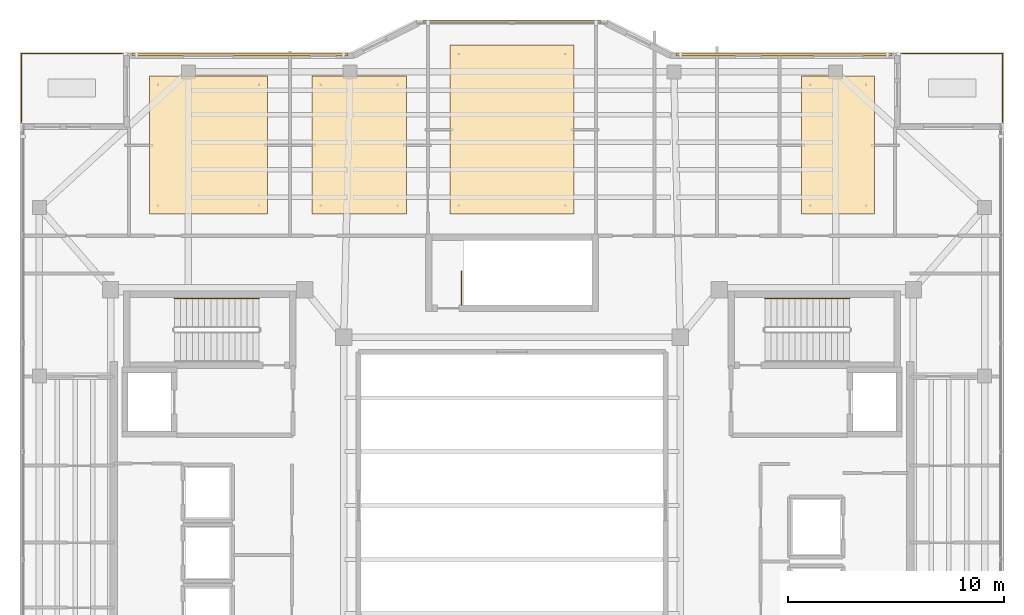
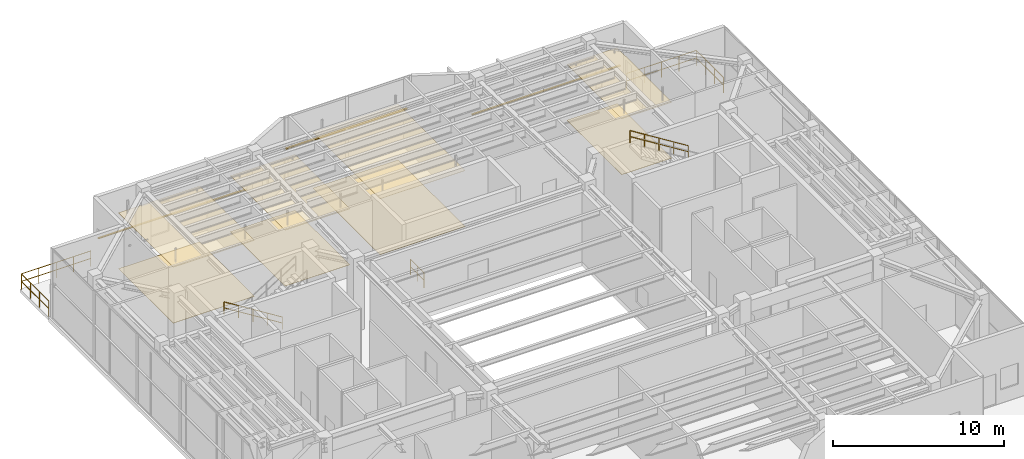
# One storey, part 23 of 23: 8 coverings, 7 railings, 3 shading devices.
"""IFC4 building model written with IfcOpenShell, lengths in metres."""

import ifcopenshell
import ifcopenshell.guid

model = None  # the IFC model being written
_history = None  # IfcOwnerHistory: only IFC2X3 demands one
_inside = {}  # id of a spatial element -> (the spatial element, [elements in it])
_under = {}  # id of a project, library or spatial element -> (it, [spatial elements below it])
_declared = {}  # id of a project -> (the project, [libraries it declares])
_typed = {}  # id of a type object -> (the type object, [elements of that type])
_made_of = {}  # id of a material, layer set ... -> (it, [elements and type objects made of it])


def new_model(schema):
    """Start an empty IFC model of exactly this schema.

    Asked for "IFC4X3", IfcOpenShell would pick the latest addendum, in which some entities
    have other attributes; the version numbers below select the first issue.
    IFC2X3 requires an IfcOwnerHistory on every rooted entity: one is made here for all.
    """
    global model, _history
    if schema == "IFC4X3":
        model = ifcopenshell.file(schema_version=(4, 3, 0, 0))
    else:
        model = ifcopenshell.file(schema=schema)
    _inside.clear()
    _under.clear()
    _declared.clear()
    _typed.clear()
    _made_of.clear()
    _history = None
    if model.schema == "IFC2X3":
        org = make("IfcOrganization", Name="unknown")
        user = make(
            "IfcPersonAndOrganization",
            ThePerson=make("IfcPerson", FamilyName="unknown"),
            TheOrganization=org,
        )
        app = make(
            "IfcApplication",
            ApplicationDeveloper=org,
            Version="unknown",
            ApplicationFullName="unknown",
            ApplicationIdentifier="unknown",
        )
        _history = make(
            "IfcOwnerHistory",
            OwningUser=user,
            OwningApplication=app,
            ChangeAction="ADDED",
            CreationDate=0,
        )
    return model


def make(cls, **values):
    """One entity of the class cls with the attributes given. An attribute that is None is left unset."""
    return model.create_entity(
        cls, **{name: value for name, value in values.items() if value is not None}
    )


def rooted(cls, **values):
    """An entity with a GlobalId (a new one), such as an element, a storey or a relation."""
    return make(cls, GlobalId=ifcopenshell.guid.new(), OwnerHistory=_history, **values)


def si_unit(unit_type, name, prefix=None):
    """IfcSIUnit, for example si_unit("LENGTHUNIT", "METRE", prefix="MILLI")."""
    return make("IfcSIUnit", UnitType=unit_type, Prefix=prefix, Name=name)


def assignment(units):
    """IfcUnitAssignment: the units of a project."""
    return None if units is None else make("IfcUnitAssignment", Units=units)


def point(xyz):
    """IfcCartesianPoint."""
    return None if xyz is None else make("IfcCartesianPoint", Coordinates=xyz)


def direction(xyz):
    """IfcDirection."""
    return None if xyz is None else make("IfcDirection", DirectionRatios=xyz)


def frame(location, z_axis=None, x_axis=None):
    """IfcAxis2Placement3D, a coordinate frame: its origin and axes. An axis left out is left unset."""
    return make(
        "IfcAxis2Placement3D",
        Location=point(location),
        Axis=direction(z_axis),
        RefDirection=direction(x_axis),
    )


def frame_2d(location, x_axis=None):
    """IfcAxis2Placement2D, a coordinate frame in the plane: its origin and x axis."""
    return make(
        "IfcAxis2Placement2D", Location=point(location), RefDirection=direction(x_axis)
    )


def origin():
    """The frame at (0, 0, 0) with its axes left unset."""
    return frame((0.0, 0.0, 0.0))


def origin_2d():
    """The frame at (0, 0) in the plane with its x axis left unset."""
    return frame_2d((0.0, 0.0))


def place(relative_to, where):
    """IfcLocalPlacement: puts the frame where relative to a parent placement (None: the world)."""
    return make(
        "IfcLocalPlacement", PlacementRelTo=relative_to, RelativePlacement=where
    )


def context(
    kind, dimensions, precision=None, world=None, true_north=None, identifier=None
):
    """IfcGeometricRepresentationContext, for example the 3D "Model" context."""
    return make(
        "IfcGeometricRepresentationContext",
        ContextIdentifier=identifier,
        ContextType=kind,
        CoordinateSpaceDimension=dimensions,
        Precision=precision,
        WorldCoordinateSystem=world,
        TrueNorth=true_north,
    )


def subcontext(parent, identifier, kind, view, scale=None):
    """IfcGeometricRepresentationSubContext, for example "Body" below "Model"."""
    return make(
        "IfcGeometricRepresentationSubContext",
        ContextIdentifier=identifier,
        ContextType=kind,
        ParentContext=parent,
        TargetScale=scale,
        TargetView=view,
    )


def project(units=None, contexts=None):
    """IfcProject with its units and contexts."""
    return rooted(
        "IfcProject",
        Name="project",
        RepresentationContexts=contexts,
        UnitsInContext=assignment(units),
    )


def spatial(cls, under=None, at=None, **own):
    """A site, building, storey or space (cls), placed at a placement, below another one or the project."""
    s = rooted(cls, ObjectPlacement=at, **own)
    if under is not None:
        _under.setdefault(under.id(), (under, []))[1].append(s)
    return s


def polyline(points):
    """IfcPolyline through the points."""
    return make("IfcPolyline", Points=[point(p) for p in points])


def profile(cls, at=None, kind="AREA", **sizes):
    """A parametric profile (cls). Its sizes go by their IFC names, for example OverallWidth=200.0."""
    return make(cls, ProfileType=kind, Position=at, **sizes)


def rectangle(**sizes):
    """IfcRectangleProfileDef."""
    return profile("IfcRectangleProfileDef", **sizes)


def circle(**sizes):
    """IfcCircleProfileDef."""
    return profile("IfcCircleProfileDef", **sizes)


def outline(outer, holes=None, kind="AREA"):
    """IfcArbitraryClosedProfileDef: a profile drawn as a closed curve; with holes, ...WithVoids."""
    if holes is None:
        return make("IfcArbitraryClosedProfileDef", ProfileType=kind, OuterCurve=outer)
    return make(
        "IfcArbitraryProfileDefWithVoids",
        ProfileType=kind,
        OuterCurve=outer,
        InnerCurves=holes,
    )


def extrude(swept, where, along, depth):
    """IfcExtrudedAreaSolid: the profile swept, set in the frame where, extruded along a direction by depth."""
    return make(
        "IfcExtrudedAreaSolid",
        SweptArea=swept,
        Position=where,
        ExtrudedDirection=direction(along),
        Depth=depth,
    )


def shape(context_of_items, identifier, shape_type, items):
    """IfcShapeRepresentation: the items that make up one representation, for example the "Body"."""
    return make(
        "IfcShapeRepresentation",
        ContextOfItems=context_of_items,
        RepresentationIdentifier=identifier,
        RepresentationType=shape_type,
        Items=items,
    )


def material(Name=None, Category=None):
    """IfcMaterial."""
    return make("IfcMaterial", Name=Name, Category=Category)


def layer(
    of_material, thickness, ventilated=None, Name=None, Category=None, Priority=None
):
    """IfcMaterialLayer: one layer of a wall or slab, of a material (None: an air gap)."""
    return make(
        "IfcMaterialLayer",
        Material=of_material,
        LayerThickness=thickness,
        IsVentilated=ventilated,
        Name=Name,
        Category=Category,
        Priority=Priority,
    )


def layer_set(layers, Name=None):
    """IfcMaterialLayerSet."""
    return make("IfcMaterialLayerSet", MaterialLayers=layers, LayerSetName=Name)


def material_profile(
    of_material, cross_section, Name=None, Category=None, Priority=None
):
    """IfcMaterialProfile: a cross section and its material."""
    return make(
        "IfcMaterialProfile",
        Name=Name,
        Material=of_material,
        Profile=cross_section,
        Priority=Priority,
        Category=Category,
    )


def profile_set(profiles, Name=None, composite=None):
    """IfcMaterialProfileSet."""
    return make(
        "IfcMaterialProfileSet",
        Name=Name,
        MaterialProfiles=profiles,
        CompositeProfile=composite,
    )


def made_of(thing, what):
    """Note that an element or type object is made of a material, layer set ...; save() writes the relation."""
    if what is not None:
        _made_of.setdefault(what.id(), (what, []))[1].append(thing)
    return thing


def type_object(cls, material=None, **own):
    """A type object (cls), such as IfcWallType, which elements share."""
    return made_of(rooted(cls, **own), material)


def element(
    cls,
    number,
    at=None,
    inside=None,
    cuts=None,
    type_object=None,
    material=None,
    context=None,
    identifier="Body",
    shape_type=None,
    held_by="IfcProductDefinitionShape",
    body=None,
    shapes=None,
    **own,
):
    """One element of the class cls, such as IfcWall. Its Tag is "e" and its number.

    at: its placement. inside: the storey or other place that contains it. cuts: it is an
    opening in that element (IfcRelVoidsElement). A single representation is given by context,
    identifier, shape_type and body (its items); several are given by shapes. held_by: the class
    of the entity that holds the representations. save() writes the other relations.
    """
    e = rooted(cls, Tag="e%d" % number, ObjectPlacement=at, **own)
    if body is not None:
        shapes = [shape(context, identifier, shape_type, body)]
    if shapes is not None:
        e.Representation = make(held_by, Representations=shapes)
    if inside is not None:
        _inside.setdefault(inside.id(), (inside, []))[1].append(e)
    if cuts is not None:
        rooted(
            "IfcRelVoidsElement", RelatingBuildingElement=cuts, RelatedOpeningElement=e
        )
    if type_object is not None:
        _typed.setdefault(type_object.id(), (type_object, []))[1].append(e)
    return made_of(e, material)


def aggregate(whole, parts):
    """IfcRelAggregates: a whole, such as a stair, and the parts it consists of."""
    return rooted("IfcRelAggregates", RelatingObject=whole, RelatedObjects=parts)


def save(model, path):
    """Write the relations noted so far, then the file.

    IfcRelAggregates (storeys below a building ...), IfcRelContainedInSpatialStructure (elements
    in a storey), IfcRelDefinesByType, IfcRelAssociatesMaterial and IfcRelDeclares: one each for
    every whole, place, type object, material and project.
    """
    for whole, parts in _under.values():
        aggregate(whole, parts)
    for where, things in _inside.values():
        rooted(
            "IfcRelContainedInSpatialStructure",
            RelatedElements=things,
            RelatingStructure=where,
        )
    for kind, things in _typed.values():
        rooted("IfcRelDefinesByType", RelatedObjects=things, RelatingType=kind)
    for what, things in _made_of.values():
        rooted("IfcRelAssociatesMaterial", RelatedObjects=things, RelatingMaterial=what)
    for by, libraries in _declared.values():
        rooted("IfcRelDeclares", RelatingContext=by, RelatedDefinitions=libraries)
    model.write(path)


model = new_model("IFC4")

# Units and contexts
model_context = context("Model", 3, precision=1e-05, world=origin(), true_north=direction((0.0, 1.0)))
body_context = subcontext(model_context, "Body", "Model", "MODEL_VIEW")
ifc_project = project(units=[si_unit("LENGTHUNIT", "METRE"), si_unit("AREAUNIT", "SQUARE_METRE"), si_unit("VOLUMEUNIT", "CUBIC_METRE"), si_unit("PLANEANGLEUNIT", "RADIAN"), si_unit("MASSUNIT", "GRAM", prefix="KILO")], contexts=[model_context])

# Site, building, storey
site_placement = place(None, origin())
site = spatial("IfcSite", under=ifc_project, at=site_placement, CompositionType="ELEMENT")
building_placement = place(site_placement, origin())
building = spatial("IfcBuilding", under=site, at=building_placement, Name="Tarnavaz Court Tower", CompositionType="ELEMENT")
storey_placement = place(building_placement, frame((0.0, 0.0, 276.300048828125)))
storey = spatial("IfcBuildingStorey", under=building, at=storey_placement, Name="L75", CompositionType="ELEMENT", Elevation=276.300048828125)

# Coverings
ifc_material_1 = material(Name="Perforated Gypsum Acoustic Ceiling Tile", Category="masonry")
ifc_layer_1 = layer(ifc_material_1, 0.02490234375)
ifc_layer_set_1 = layer_set([ifc_layer_1], Name="Perforated Gypsum Acoustic Ceiling Tile")
covering_type_1 = type_object("IfcCoveringType", Name="CV-CEIL-AC", PredefinedType="CEILING", material=ifc_layer_set_1)
covering_1_placement = place(storey_placement, frame((0.0, 0.0, 3.97998046875)))
element("IfcCovering", 1, at=covering_1_placement, inside=storey, type_object=covering_type_1, Name="L75 Public Observation Viewing Deck Suspended Acoustic Ceiling", PredefinedType="CEILING", context=body_context, shape_type="SweptSolid", body=[
    extrude(outline(polyline([(-16.800048828125, 13.5), (-11.327880859375, 13.5), (-11.327880859375, 19.89990234375), (-16.800048828125, 19.89990234375), (-16.800048828125, 13.5)])), origin(), (0.0, 0.0, 1.0), 0.02490234375),
])
covering_2_placement = place(storey_placement, frame((0.0, 0.0, 3.97998046875)))
element("IfcCovering", 2, at=covering_2_placement, inside=storey, type_object=covering_type_1, Name="L75 Skyline Heritage Art Gallery Suspended Acoustic Ceiling", PredefinedType="CEILING", context=body_context, shape_type="SweptSolid", body=[
    extrude(outline(polyline([(-9.26806640625, 13.5), (-4.89990234375, 13.5), (-4.89990234375, 19.89990234375), (-9.26806640625, 19.89990234375), (-9.26806640625, 13.5)])), origin(), (0.0, 0.0, 1.0), 0.02490234375),
])
covering_3_placement = place(storey_placement, frame((0.0, 0.0, 3.97998046875)))
element("IfcCovering", 3, at=covering_3_placement, inside=storey, type_object=covering_type_1, Name="L75 L75 North Iwan Sky Lookout Salon Suspended Acoustic Ceiling", PredefinedType="CEILING", context=body_context, shape_type="SweptSolid", body=[
    extrude(outline(polyline([(-2.8701171875, 13.5), (2.8701171875, 13.5), (2.8701171875, 21.330078125), (-2.8701171875, 21.330078125), (-2.8701171875, 13.5)])), origin(), (0.0, 0.0, 1.0), 0.02490234375),
])
covering_4_placement = place(storey_placement, frame((0.0, 0.0, 3.97998046875)))
element("IfcCovering", 4, at=covering_4_placement, inside=storey, type_object=covering_type_1, Name="L75 Panoramic Exhibition Lecture Room Suspended Acoustic Ceiling", PredefinedType="CEILING", context=body_context, shape_type="SweptSolid", body=[
    extrude(outline(polyline([(13.4169921875, 13.5), (16.800048828125, 13.5), (16.800048828125, 19.89990234375), (13.4169921875, 19.89990234375), (13.4169921875, 13.5)])), origin(), (0.0, 0.0, 1.0), 0.02490234375),
])
ifc_material_2 = material(Name="Glazed Khorasan Porcelain Floor Tile", Category="masonry")
ifc_layer_2 = layer(ifc_material_2, 0.02001953125)
ifc_layer_set_2 = layer_set([ifc_layer_2], Name="Glazed Khorasan Porcelain Floor Tile")
covering_type_2 = type_object("IfcCoveringType", Name="CV-FLR-PORC", PredefinedType="FLOORING", material=ifc_layer_set_2)
covering_5_placement = place(storey_placement, origin())
element("IfcCovering", 5, at=covering_5_placement, inside=storey, type_object=covering_type_2, Name="L75 Public Observation Viewing Deck Porcelain Floor Finish", PredefinedType="FLOORING", context=body_context, shape_type="SweptSolid", body=[
    extrude(outline(polyline([(-16.800048828125, 13.5), (-11.327880859375, 13.5), (-11.327880859375, 19.89990234375), (-16.800048828125, 19.89990234375), (-16.800048828125, 13.5)])), origin(), (0.0, 0.0, 1.0), 0.02001953125),
])
covering_6_placement = place(storey_placement, origin())
element("IfcCovering", 6, at=covering_6_placement, inside=storey, type_object=covering_type_2, Name="L75 Skyline Heritage Art Gallery Porcelain Floor Finish", PredefinedType="FLOORING", context=body_context, shape_type="SweptSolid", body=[
    extrude(outline(polyline([(-9.26806640625, 13.5), (-4.89990234375, 13.5), (-4.89990234375, 19.89990234375), (-9.26806640625, 19.89990234375), (-9.26806640625, 13.5)])), origin(), (0.0, 0.0, 1.0), 0.02001953125),
])
covering_7_placement = place(storey_placement, origin())
element("IfcCovering", 7, at=covering_7_placement, inside=storey, type_object=covering_type_2, Name="L75 L75 North Iwan Sky Lookout Salon Porcelain Floor Finish", PredefinedType="FLOORING", context=body_context, shape_type="SweptSolid", body=[
    extrude(outline(polyline([(-2.8701171875, 13.5), (2.8701171875, 13.5), (2.8701171875, 21.330078125), (-2.8701171875, 21.330078125), (-2.8701171875, 13.5)])), origin(), (0.0, 0.0, 1.0), 0.02001953125),
])
covering_8_placement = place(storey_placement, origin())
element("IfcCovering", 8, at=covering_8_placement, inside=storey, type_object=covering_type_2, Name="L75 Panoramic Exhibition Lecture Room Porcelain Floor Finish", PredefinedType="FLOORING", context=body_context, shape_type="SweptSolid", body=[
    extrude(outline(polyline([(13.4169921875, 13.5), (16.800048828125, 13.5), (16.800048828125, 19.89990234375), (13.4169921875, 19.89990234375), (13.4169921875, 13.5)])), origin(), (0.0, 0.0, 1.0), 0.02001953125),
])

# Railings
ifc_material_3 = material(Name="Anodised Aluminium 6063-T6 and Laminated Safety Glass", Category="aluminium")
railing_type_1 = type_object("IfcRailingType", Name="RL-BAL-1120", PredefinedType="BALUSTRADE", material=ifc_material_3)
railing_1_placement = place(storey_placement, frame((22.739990234375, 17.760009765625, 0.0)))
element("IfcRailing", 9, at=railing_1_placement, inside=storey, type_object=railing_type_1, Name="L75 Terrace 1 E Perimeter Balustrade", PredefinedType="BALUSTRADE", context=body_context, shape_type="SweptSolid", body=[
    extrude(circle(Radius=0.02392578125, at=origin_2d()), frame((0.0, 0.0, 1.09619140625), z_axis=(0.0, 1.0, 0.0), x_axis=(-1.0, 0.0, 0.0)), (0.0, 0.0, 1.0), 3.179931640625),
    extrude(circle(Radius=0.02392578125, at=origin_2d()), frame((0.0, 0.0, 0.56005859375), z_axis=(0.0, 1.0, 0.0), x_axis=(-1.0, 0.0, 0.0)), (0.0, 0.0, 1.0), 3.179931640625),
    extrude(circle(Radius=0.02099609375, at=origin_2d()), origin(), (0.0, 0.0, 1.0), 1.072021484375),
    extrude(circle(Radius=0.02099609375, at=origin_2d()), frame((0.0, 1.06005859375, 0.0)), (0.0, 0.0, 1.0), 1.072021484375),
    extrude(circle(Radius=0.02099609375, at=origin_2d()), frame((0.0, 2.119873046875, 0.0)), (0.0, 0.0, 1.0), 1.072021484375),
    extrude(circle(Radius=0.02099609375, at=origin_2d()), frame((0.0, 3.179931640625, 0.0)), (0.0, 0.0, 1.0), 1.072021484375),
])
for number, where, name in (
    (10, (22.739990234375, 20.93994140625, 0.0), "L75 Terrace 1 N Perimeter Balustrade"),
    (11, (-18.06005859375, 20.93994140625, 0.0), "L75 Terrace 2 N Perimeter Balustrade"),
):
    element("IfcRailing", number, at=place(storey_placement, frame(where)), inside=storey, type_object=railing_type_1, Name=name, PredefinedType="BALUSTRADE", context=body_context, shape_type="SweptSolid", body=[
        extrude(circle(Radius=0.02392578125, at=origin_2d()), frame((0.0, 0.0, 1.09619140625), z_axis=(-1.0, 0.0, 0.0), x_axis=(0.0, -1.0, 0.0)), (0.0, 0.0, 1.0), 4.679931640625),
        extrude(circle(Radius=0.02392578125, at=origin_2d()), frame((0.0, 0.0, 0.56005859375), z_axis=(-1.0, 0.0, 0.0), x_axis=(0.0, -1.0, 0.0)), (0.0, 0.0, 1.0), 4.679931640625),
        extrude(circle(Radius=0.02099609375, at=origin_2d()), origin(), (0.0, 0.0, 1.0), 1.072021484375),
        extrude(circle(Radius=0.02099609375, at=origin_2d()), frame((-1.169921875, 0.0, 0.0)), (0.0, 0.0, 1.0), 1.072021484375),
        extrude(circle(Radius=0.02099609375, at=origin_2d()), frame((-2.33984375, 0.0, 0.0)), (0.0, 0.0, 1.0), 1.072021484375),
        extrude(circle(Radius=0.02099609375, at=origin_2d()), frame((-3.510009765625, 0.0, 0.0)), (0.0, 0.0, 1.0), 1.072021484375),
        extrude(circle(Radius=0.02099609375, at=origin_2d()), frame((-4.679931640625, 0.0, 0.0)), (0.0, 0.0, 1.0), 1.072021484375),
    ])
railing_2_placement = place(storey_placement, frame((-22.739990234375, 20.93994140625, 0.0)))
element("IfcRailing", 12, at=railing_2_placement, inside=storey, type_object=railing_type_1, Name="L75 Terrace 2 W Perimeter Balustrade", PredefinedType="BALUSTRADE", context=body_context, shape_type="SweptSolid", body=[
    extrude(circle(Radius=0.02392578125, at=origin_2d()), frame((0.0, 0.0, 1.09619140625), z_axis=(0.0, -1.0, 0.0), x_axis=(1.0, 0.0, 0.0)), (0.0, 0.0, 1.0), 3.179931640625),
    extrude(circle(Radius=0.02392578125, at=origin_2d()), frame((0.0, 0.0, 0.56005859375), z_axis=(0.0, -1.0, 0.0), x_axis=(1.0, 0.0, 0.0)), (0.0, 0.0, 1.0), 3.179931640625),
    extrude(circle(Radius=0.02099609375, at=origin_2d()), origin(), (0.0, 0.0, 1.0), 1.072021484375),
    extrude(circle(Radius=0.02099609375, at=origin_2d()), frame((0.0, -1.06005859375, 0.0)), (0.0, 0.0, 1.0), 1.072021484375),
    extrude(circle(Radius=0.02099609375, at=origin_2d()), frame((0.0, -2.119873046875, 0.0)), (0.0, 0.0, 1.0), 1.072021484375),
    extrude(circle(Radius=0.02099609375, at=origin_2d()), frame((0.0, -3.179931640625, 0.0)), (0.0, 0.0, 1.0), 1.072021484375),
])
ifc_material_4 = material(Name="Brushed Stainless Steel", Category="steel")
railing_type_2 = type_object("IfcRailingType", Name="RL-HANDRAIL-900", PredefinedType="HANDRAIL", material=ifc_material_4)
for number, where, name in (
    (13, (-11.719970703125, 9.590087890625, 0.175048828125), "L75 ST-W1 stair handrail 1"),
    (14, (15.639892578125, 9.590087890625, 2.800048828125), "L75 ST-E1 stair handrail 2"),
):
    element("IfcRailing", number, at=place(storey_placement, frame(where)), inside=storey, type_object=railing_type_2, Name=name, PredefinedType="HANDRAIL", context=body_context, shape_type="SweptSolid", body=[
        extrude(circle(Radius=0.02392578125, at=origin_2d()), frame((0.0, 0.0, 0.8759765625), z_axis=(-0.847998304005, 0.0, 0.529998940003), x_axis=(0.0, -1.0, 0.0)), (0.0, 0.0, 1.0), 4.62255859375),
        extrude(circle(Radius=0.02392578125, at=origin_2d()), frame((0.0, 0.0, 0.449951171875), z_axis=(-0.847998304005, 0.0, 0.529998940003), x_axis=(0.0, -1.0, 0.0)), (0.0, 0.0, 1.0), 4.62255859375),
        extrude(circle(Radius=0.02099609375, at=origin_2d()), origin(), (0.0, 0.0, 1.0), 0.851806640625),
        extrude(circle(Radius=0.02099609375, at=origin_2d()), frame((-0.97998046875, 0.0, 0.612548828125)), (0.0, 0.0, 1.0), 0.851806640625),
        extrude(circle(Radius=0.02099609375, at=origin_2d()), frame((-1.9599609375, 0.0, 1.22509765625)), (0.0, 0.0, 1.0), 0.851806640625),
        extrude(circle(Radius=0.02099609375, at=origin_2d()), frame((-2.93994140625, 0.0, 1.83740234375)), (0.0, 0.0, 1.0), 0.851806640625),
        extrude(circle(Radius=0.02099609375, at=origin_2d()), frame((-3.919921875, 0.0, 2.449951171875)), (0.0, 0.0, 1.0), 0.851806640625),
    ])
ifc_material_5 = material(Name="Galvanized Painted Tubular Steel", Category="steel")
railing_type_3 = type_object("IfcRailingType", Name="RL-STGUARD-1120", PredefinedType="GUARDRAIL", material=ifc_material_5)
railing_3_placement = place(storey_placement, frame((-2.330078125, 9.300048828125, 0.0)))
element("IfcRailing", 15, at=railing_3_placement, inside=storey, type_object=railing_type_3, Name="L75 ST-N1 top well guard 1", PredefinedType="GUARDRAIL", context=body_context, shape_type="SweptSolid", body=[
    extrude(circle(Radius=0.02392578125, at=origin_2d()), frame((0.0, 0.0, 1.09619140625), z_axis=(0.0, 1.0, 0.0), x_axis=(-1.0, 0.0, 0.0)), (0.0, 0.0, 1.0), 1.570068359375),
    extrude(circle(Radius=0.02392578125, at=origin_2d()), frame((0.0, 0.0, 0.56005859375), z_axis=(0.0, 1.0, 0.0), x_axis=(-1.0, 0.0, 0.0)), (0.0, 0.0, 1.0), 1.570068359375),
    extrude(circle(Radius=0.02099609375, at=origin_2d()), origin(), (0.0, 0.0, 1.0), 1.072021484375),
    extrude(circle(Radius=0.02099609375, at=origin_2d()), frame((0.0, 0.78515625, 0.0)), (0.0, 0.0, 1.0), 1.072021484375),
    extrude(circle(Radius=0.02099609375, at=origin_2d()), frame((0.0, 1.570068359375, 0.0)), (0.0, 0.0, 1.0), 1.072021484375),
])

# Shading devices
ifc_material_6 = material(Name="Kiln-Fired Khorasan Terracotta Ceramic", Category="masonry")
ifc_material_profile_1 = material_profile(ifc_material_6, rectangle(XDim=0.1201171875, YDim=0.06005859375, at=origin_2d()), Name="TC BAGUETTE 120X60")
ifc_profile_set_1 = profile_set([ifc_material_profile_1], Name="Kiln-Fired Khorasan Terracotta Ceramic")
shading_device_type_1 = type_object("IfcShadingDeviceType", Name="SD-BAG-120", PredefinedType="USERDEFINED", material=ifc_profile_set_1)
for number, where, z_axis, x_axis, name in (
    (16, (-17.60009765625, 20.909912109375, 1.849853515625), (1.0, 0.0, 0.0), (0.0, 1.0, 0.0), "L75 Terracotta Baguette Screen FBG05"),
    (17, (7.60009765625, 20.909912109375, 1.849853515625), (1.0, 0.0, 0.0), (0.0, 1.0, 0.0), "L75 Terracotta Baguette Screen FBG09"),
):
    element("IfcShadingDevice", number, at=place(storey_placement, frame(where, z_axis=z_axis, x_axis=x_axis)), inside=storey, type_object=shading_device_type_1, Name=name, ObjectType="BAGUETTE", PredefinedType="USERDEFINED", context=body_context, shape_type="SweptSolid", body=[
        extrude(rectangle(XDim=0.1201171875, YDim=0.06005859375, at=origin_2d()), origin(), (0.0, 0.0, 1.0), 10.0),
    ])
ifc_material_profile_2 = material_profile(ifc_material_6, rectangle(XDim=0.14990234375, YDim=0.06494140625, at=origin_2d()), Name="TC BAGUETTE 150X65")
ifc_profile_set_2 = profile_set([ifc_material_profile_2], Name="Kiln-Fired Khorasan Terracotta Ceramic")
shading_device_type_2 = type_object("IfcShadingDeviceType", Name="SD-BAG-150", PredefinedType="USERDEFINED", material=ifc_profile_set_2)
shading_device_placement = place(storey_placement, frame((-4.10009765625, 22.409912109375, 2.599853515625), z_axis=(1.0, 0.0, 0.0), x_axis=(0.0, 1.0, 0.0)))
element("IfcShadingDevice", 18, at=shading_device_placement, inside=storey, type_object=shading_device_type_2, Name="L75 Terracotta Baguette Screen OBG7", ObjectType="BAGUETTE", PredefinedType="USERDEFINED", context=body_context, shape_type="SweptSolid", body=[
    extrude(rectangle(XDim=0.14990234375, YDim=0.06494140625, at=origin_2d()), origin(), (0.0, 0.0, 1.0), 8.2001953125),
])

save(model, "model.ifc")
